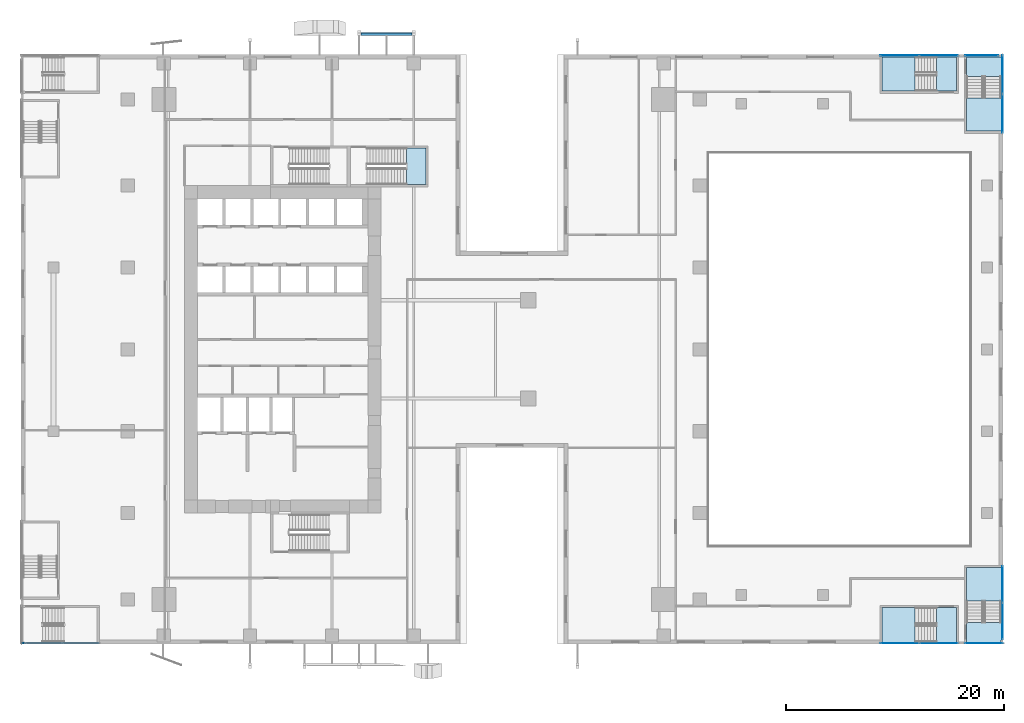
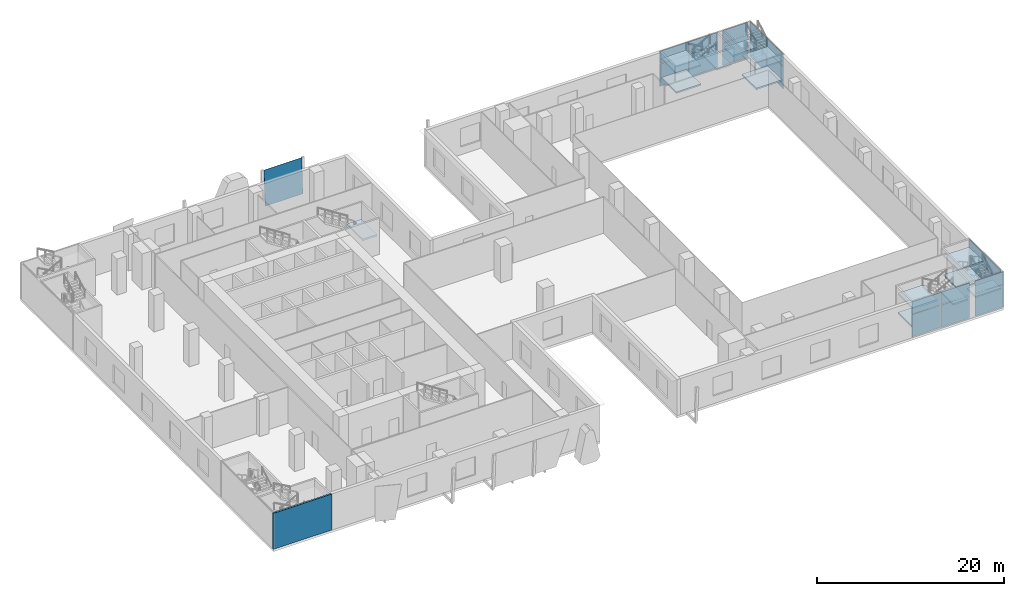
# One storey, part 9 of 22: 21 plates, 13 slabs, 1 wall, 11 elements without a shape of their own.
"""IFC4 building model written with IfcOpenShell, lengths in metres."""

from ifc_helpers import new_model, si_unit, direction, frame, frame_2d, origin, origin_2d, place, context, subcontext, project, spatial, polyline, rectangle, outline, extrude, source, transform, mapped, material, layer, layer_set, type_object, element, aggregate, save


model = new_model("IFC4")

# Units and contexts
model_context = context("Model", 3, precision=1e-05, world=origin(), true_north=direction((0.0, 1.0)))
body_context = subcontext(model_context, "Body", "Model", "MODEL_VIEW")
ifc_project = project(units=[si_unit("LENGTHUNIT", "METRE"), si_unit("AREAUNIT", "SQUARE_METRE"), si_unit("VOLUMEUNIT", "CUBIC_METRE"), si_unit("PLANEANGLEUNIT", "RADIAN"), si_unit("MASSUNIT", "GRAM", prefix="KILO")], contexts=[model_context])

# Site, building, storey
site_placement = place(None, origin())
site = spatial("IfcSite", under=ifc_project, at=site_placement, CompositionType="ELEMENT")
building_placement = place(site_placement, origin())
building = spatial("IfcBuilding", under=site, at=building_placement, Name="Khomas Fold Tower", CompositionType="ELEMENT")
storey_placement = place(building_placement, frame((0.0, 0.0, 23.5)))
storey = spatial("IfcBuildingStorey", under=building, at=storey_placement, Name="L04", CompositionType="ELEMENT", Elevation=23.5)

# Plate
ifc_material_1 = material(Name="Clear laminated glass", Category="glass")
ifc_layer_1 = layer(ifc_material_1, 0.0400390625)
ifc_layer_set_1 = layer_set([ifc_layer_1], Name="Clear laminated glass")
plate_type_1 = type_object("IfcPlateType", Name="SK-Clear laminated glass leaf", PredefinedType="SHEET", material=ifc_layer_set_1)
plate_1_placement = place(storey_placement, frame((26.830078125, 55.97705078125, 4.550048828125), z_axis=(0.0, -0.998628761104, 0.052350716295), x_axis=(0.0, -0.052350716295, -0.998628761104)))
element("IfcPlate", 1, at=plate_1_placement, inside=storey, type_object=plate_type_1, Name="OUTER SKIN glass L04 NG102-4", PredefinedType="SHEET", context=body_context, shape_type="SweptSolid", body=[
    extrude(outline(polyline([(0.0, 0.0), (4.556296599245323, 0.0), (4.556296599245323, -4.66015625), (0.0, -4.66015625), (0.0, 0.0)])), origin(), (0.0, 0.0, -1.0), 0.0400390625),
])

# Curtain wall, plate
ifc_material_2 = material(Name="Aluminium framed double glazing", Category="aluminium")
curtain_wall_type = type_object("IfcCurtainWallType", Name="Shopfront glazing PD-CW", PredefinedType="NOTDEFINED", material=ifc_material_2)
curtain_wall_1_placement = place(storey_placement, origin())
curtain_wall_1 = element("IfcCurtainWall", 2, at=curtain_wall_1_placement, inside=storey, type_object=curtain_wall_type, Name="Podium stair-tower glazing", PredefinedType="NOTDEFINED")
ifc_material_3 = material(Name="Double glazed unit")
ifc_layer_2 = layer(ifc_material_3, 0.031982421875)
ifc_layer_set_2 = layer_set([ifc_layer_2], Name="Double glazed unit")
plate_type_2 = type_object("IfcPlateType", Name="Shopfront glazing panel PD-CW-P", PredefinedType="CURTAIN_PANEL", material=ifc_layer_set_2)
shared_shape_1 = source(origin(), body_context, "Body", "SweptSolid", [
    extrude(rectangle(XDim=3.0400390625, YDim=0.031982421875, at=origin_2d()), origin(), (0.0, 0.0, 1.0), 2.909912109375),
])
plate_2_placement = place(storey_placement, frame((79.02001953125, 53.919921875, 0.06005859375), z_axis=(0.0, 0.0, 1.0), x_axis=(-1.0, 0.0, 0.0)))
plate_2 = element("IfcPlate", 3, at=plate_2_placement, type_object=plate_type_2, Name="PD-CW panel 1.1", PredefinedType="CURTAIN_PANEL", context=body_context, shape_type="MappedRepresentation", body=[
    mapped(shared_shape_1, transform((0.0, 0.0, 0.0))),
])

# Curtain wall, plates
curtain_wall_2_placement = place(storey_placement, origin())
curtain_wall_2 = element("IfcCurtainWall", 4, at=curtain_wall_2_placement, inside=storey, type_object=curtain_wall_type, Name="Podium stair-tower glazing", PredefinedType="NOTDEFINED")
shared_shape_2 = source(origin(), body_context, "Body", "SweptSolid", [
    extrude(rectangle(XDim=3.52001953125, YDim=0.031982421875, at=origin_2d()), origin(), (0.0, 0.0, 1.0), 2.909912109375),
])
plate_3_placement = place(storey_placement, frame((71.510009765625, 0.080078125, 0.06005859375), z_axis=(0.0, 0.0, 1.0), x_axis=(1.0, 0.0, 0.0)))
plate_3 = element("IfcPlate", 5, at=plate_3_placement, type_object=plate_type_2, Name="PD-CW panel 1.1", PredefinedType="CURTAIN_PANEL", context=body_context, shape_type="MappedRepresentation", body=[
    mapped(shared_shape_2, transform((0.0, 0.0, 0.0))),
])
plate_4_placement = place(storey_placement, frame((75.090087890625, 0.080078125, 0.06005859375), z_axis=(0.0, 0.0, 1.0), x_axis=(1.0, 0.0, 0.0)))
plate_4 = element("IfcPlate", 6, at=plate_4_placement, type_object=plate_type_2, Name="PD-CW panel 2.1", PredefinedType="CURTAIN_PANEL", context=body_context, shape_type="MappedRepresentation", body=[
    mapped(shared_shape_2, transform((0.0, 0.0, 0.0))),
])

curtain_wall_3_placement = place(storey_placement, origin())
curtain_wall_3 = element("IfcCurtainWall", 7, at=curtain_wall_3_placement, inside=storey, type_object=curtain_wall_type, Name="Podium stair-tower glazing", PredefinedType="NOTDEFINED")
plate_5_placement = place(storey_placement, frame((75.090087890625, 53.919921875, 0.06005859375), z_axis=(0.0, 0.0, 1.0), x_axis=(-1.0, 0.0, 0.0)))
plate_5 = element("IfcPlate", 8, at=plate_5_placement, type_object=plate_type_2, Name="PD-CW panel 1.1", PredefinedType="CURTAIN_PANEL", context=body_context, shape_type="MappedRepresentation", body=[
    mapped(shared_shape_2, transform((0.0, 0.0, 0.0))),
])
plate_6_placement = place(storey_placement, frame((71.510009765625, 53.919921875, 0.06005859375), z_axis=(0.0, 0.0, 1.0), x_axis=(-1.0, 0.0, 0.0)))
plate_6 = element("IfcPlate", 9, at=plate_6_placement, type_object=plate_type_2, Name="PD-CW panel 2.1", PredefinedType="CURTAIN_PANEL", context=body_context, shape_type="MappedRepresentation", body=[
    mapped(shared_shape_2, transform((0.0, 0.0, 0.0))),
])

# Curtain wall, plate
curtain_wall_4_placement = place(storey_placement, origin())
curtain_wall_4 = element("IfcCurtainWall", 10, at=curtain_wall_4_placement, inside=storey, type_object=curtain_wall_type, Name="Podium stair-tower glazing", PredefinedType="NOTDEFINED")
shared_shape_3 = source(origin(), body_context, "Body", "SweptSolid", [
    extrude(rectangle(XDim=3.43994140625, YDim=0.031982421875, at=origin_2d()), origin(), (0.0, 0.0, 1.0), 2.909912109375),
])
plate_7_placement = place(storey_placement, frame((79.219970703125, 0.080078125, 0.06005859375), z_axis=(0.0, 0.0, 1.0), x_axis=(1.0, 0.0, 0.0)))
plate_7 = element("IfcPlate", 11, at=plate_7_placement, type_object=plate_type_2, Name="PD-CW panel 1.1", PredefinedType="CURTAIN_PANEL", context=body_context, shape_type="MappedRepresentation", body=[
    mapped(shared_shape_3, transform((0.0, 0.0, 0.0))),
])

# Curtain wall, plates
curtain_wall_5_placement = place(storey_placement, origin())
curtain_wall_5 = element("IfcCurtainWall", 12, at=curtain_wall_5_placement, inside=storey, type_object=curtain_wall_type, Name="Podium stair-tower glazing", PredefinedType="NOTDEFINED")
shared_shape_4 = source(origin(), body_context, "Body", "SweptSolid", [
    extrude(rectangle(XDim=3.31494140625, YDim=0.031982421875, at=origin_2d()), origin(), (0.0, 0.0, 1.0), 2.909912109375),
])
plate_8_placement = place(storey_placement, frame((80.919921875, 2.117431640625, 0.06005859375), z_axis=(0.0, 0.0, 1.0), x_axis=(0.0, 1.0, 0.0)))
plate_8 = element("IfcPlate", 13, at=plate_8_placement, type_object=plate_type_2, Name="PD-CW panel 1.1", PredefinedType="CURTAIN_PANEL", context=body_context, shape_type="MappedRepresentation", body=[
    mapped(shared_shape_4, transform((0.0, 0.0, 0.0))),
])
plate_9_placement = place(storey_placement, frame((80.919921875, 5.492431640625, 0.06005859375), z_axis=(0.0, 0.0, 1.0), x_axis=(0.0, 1.0, 0.0)))
plate_9 = element("IfcPlate", 14, at=plate_9_placement, type_object=plate_type_2, Name="PD-CW panel 2.1", PredefinedType="CURTAIN_PANEL", context=body_context, shape_type="MappedRepresentation", body=[
    mapped(shared_shape_4, transform((0.0, 0.0, 0.0))),
])

curtain_wall_6_placement = place(storey_placement, origin())
curtain_wall_6 = element("IfcCurtainWall", 15, at=curtain_wall_6_placement, inside=storey, type_object=curtain_wall_type, Name="Podium stair-tower glazing", PredefinedType="NOTDEFINED")
shared_shape_5 = source(origin(), body_context, "Body", "SweptSolid", [
    extrude(rectangle(XDim=3.514892578125, YDim=0.031982421875, at=origin_2d()), origin(), (0.0, 0.0, 1.0), 2.909912109375),
])
plate_10_placement = place(storey_placement, frame((80.919921875, 48.607421875, 0.06005859375), z_axis=(0.0, 0.0, 1.0), x_axis=(0.0, 1.0, 0.0)))
plate_10 = element("IfcPlate", 16, at=plate_10_placement, type_object=plate_type_2, Name="PD-CW panel 1.1", PredefinedType="CURTAIN_PANEL", context=body_context, shape_type="MappedRepresentation", body=[
    mapped(shared_shape_5, transform((0.0, 0.0, 0.0))),
])
plate_11_placement = place(storey_placement, frame((80.919921875, 52.1826171875, 0.06005859375), z_axis=(0.0, 0.0, 1.0), x_axis=(0.0, 1.0, 0.0)))
plate_11 = element("IfcPlate", 17, at=plate_11_placement, type_object=plate_type_2, Name="PD-CW panel 2.1", PredefinedType="CURTAIN_PANEL", context=body_context, shape_type="MappedRepresentation", body=[
    mapped(shared_shape_5, transform((0.0, 0.0, 0.0))),
])

# Plate
shared_shape_6 = source(origin(), body_context, "Body", "SweptSolid", [
    extrude(rectangle(XDim=3.0400390625, YDim=0.031982421875, at=origin_2d()), origin(), (0.0, 0.0, 1.0), 1.610107421875),
])
plate_12_placement = place(storey_placement, frame((79.02001953125, 53.919921875, 3.02978515625), z_axis=(0.0, 0.0, 1.0), x_axis=(-1.0, 0.0, 0.0)))
plate_12 = element("IfcPlate", 18, at=plate_12_placement, type_object=plate_type_2, Name="PD-CW panel 1.2", PredefinedType="CURTAIN_PANEL", context=body_context, shape_type="MappedRepresentation", body=[
    mapped(shared_shape_6, transform((0.0, 0.0, 0.0))),
])

aggregate(curtain_wall_1, [plate_2, plate_12])

shared_shape_7 = source(origin(), body_context, "Body", "SweptSolid", [
    extrude(rectangle(XDim=3.52001953125, YDim=0.031982421875, at=origin_2d()), origin(), (0.0, 0.0, 1.0), 1.610107421875),
])
plate_13_placement = place(storey_placement, frame((71.510009765625, 0.080078125, 3.02978515625), z_axis=(0.0, 0.0, 1.0), x_axis=(1.0, 0.0, 0.0)))
plate_13 = element("IfcPlate", 19, at=plate_13_placement, type_object=plate_type_2, Name="PD-CW panel 1.2", PredefinedType="CURTAIN_PANEL", context=body_context, shape_type="MappedRepresentation", body=[
    mapped(shared_shape_7, transform((0.0, 0.0, 0.0))),
])

plate_14_placement = place(storey_placement, frame((75.090087890625, 0.080078125, 3.02978515625), z_axis=(0.0, 0.0, 1.0), x_axis=(1.0, 0.0, 0.0)))
plate_14 = element("IfcPlate", 20, at=plate_14_placement, type_object=plate_type_2, Name="PD-CW panel 2.2", PredefinedType="CURTAIN_PANEL", context=body_context, shape_type="MappedRepresentation", body=[
    mapped(shared_shape_7, transform((0.0, 0.0, 0.0))),
])

aggregate(curtain_wall_2, [plate_3, plate_13, plate_4, plate_14])

plate_15_placement = place(storey_placement, frame((75.090087890625, 53.919921875, 3.02978515625), z_axis=(0.0, 0.0, 1.0), x_axis=(-1.0, 0.0, 0.0)))
plate_15 = element("IfcPlate", 21, at=plate_15_placement, type_object=plate_type_2, Name="PD-CW panel 1.2", PredefinedType="CURTAIN_PANEL", context=body_context, shape_type="MappedRepresentation", body=[
    mapped(shared_shape_7, transform((0.0, 0.0, 0.0))),
])

plate_16_placement = place(storey_placement, frame((71.510009765625, 53.919921875, 3.02978515625), z_axis=(0.0, 0.0, 1.0), x_axis=(-1.0, 0.0, 0.0)))
plate_16 = element("IfcPlate", 22, at=plate_16_placement, type_object=plate_type_2, Name="PD-CW panel 2.2", PredefinedType="CURTAIN_PANEL", context=body_context, shape_type="MappedRepresentation", body=[
    mapped(shared_shape_7, transform((0.0, 0.0, 0.0))),
])

aggregate(curtain_wall_3, [plate_5, plate_15, plate_6, plate_16])

shared_shape_8 = source(origin(), body_context, "Body", "SweptSolid", [
    extrude(rectangle(XDim=3.43994140625, YDim=0.031982421875, at=origin_2d()), origin(), (0.0, 0.0, 1.0), 1.610107421875),
])
plate_17_placement = place(storey_placement, frame((79.219970703125, 0.080078125, 3.02978515625), z_axis=(0.0, 0.0, 1.0), x_axis=(1.0, 0.0, 0.0)))
plate_17 = element("IfcPlate", 23, at=plate_17_placement, type_object=plate_type_2, Name="PD-CW panel 1.2", PredefinedType="CURTAIN_PANEL", context=body_context, shape_type="MappedRepresentation", body=[
    mapped(shared_shape_8, transform((0.0, 0.0, 0.0))),
])

aggregate(curtain_wall_4, [plate_7, plate_17])

shared_shape_9 = source(origin(), body_context, "Body", "SweptSolid", [
    extrude(rectangle(XDim=3.31494140625, YDim=0.031982421875, at=origin_2d()), origin(), (0.0, 0.0, 1.0), 1.610107421875),
])
plate_18_placement = place(storey_placement, frame((80.919921875, 2.117431640625, 3.02978515625), z_axis=(0.0, 0.0, 1.0), x_axis=(0.0, 1.0, 0.0)))
plate_18 = element("IfcPlate", 24, at=plate_18_placement, type_object=plate_type_2, Name="PD-CW panel 1.2", PredefinedType="CURTAIN_PANEL", context=body_context, shape_type="MappedRepresentation", body=[
    mapped(shared_shape_9, transform((0.0, 0.0, 0.0))),
])

plate_19_placement = place(storey_placement, frame((80.919921875, 5.492431640625, 3.02978515625), z_axis=(0.0, 0.0, 1.0), x_axis=(0.0, 1.0, 0.0)))
plate_19 = element("IfcPlate", 25, at=plate_19_placement, type_object=plate_type_2, Name="PD-CW panel 2.2", PredefinedType="CURTAIN_PANEL", context=body_context, shape_type="MappedRepresentation", body=[
    mapped(shared_shape_9, transform((0.0, 0.0, 0.0))),
])

aggregate(curtain_wall_5, [plate_8, plate_18, plate_9, plate_19])

shared_shape_10 = source(origin(), body_context, "Body", "SweptSolid", [
    extrude(rectangle(XDim=3.514892578125, YDim=0.031982421875, at=origin_2d()), origin(), (0.0, 0.0, 1.0), 1.610107421875),
])
plate_20_placement = place(storey_placement, frame((80.919921875, 48.607421875, 3.02978515625), z_axis=(0.0, 0.0, 1.0), x_axis=(0.0, 1.0, 0.0)))
plate_20 = element("IfcPlate", 26, at=plate_20_placement, type_object=plate_type_2, Name="PD-CW panel 1.2", PredefinedType="CURTAIN_PANEL", context=body_context, shape_type="MappedRepresentation", body=[
    mapped(shared_shape_10, transform((0.0, 0.0, 0.0))),
])

plate_21_placement = place(storey_placement, frame((80.919921875, 52.1826171875, 3.02978515625), z_axis=(0.0, 0.0, 1.0), x_axis=(0.0, 1.0, 0.0)))
plate_21 = element("IfcPlate", 27, at=plate_21_placement, type_object=plate_type_2, Name="PD-CW panel 2.2", PredefinedType="CURTAIN_PANEL", context=body_context, shape_type="MappedRepresentation", body=[
    mapped(shared_shape_10, transform((0.0, 0.0, 0.0))),
])

aggregate(curtain_wall_6, [plate_10, plate_20, plate_11, plate_21])

# Stair, slab
ifc_material_4 = material(Name="Concrete C40/50", Category="concrete")
stair_type_1 = type_object("IfcStairType", Name="Stair ST3", PredefinedType="HALF_TURN_STAIR", material=ifc_material_4)
stair_1_placement = place(storey_placement, origin())
stair_1 = element("IfcStair", 28, at=stair_1_placement, inside=storey, type_object=stair_type_1, Name="L04 ST3", PredefinedType="HALF_TURN_STAIR")
ifc_material_5 = material(Name="Concrete C40/50", Category="concrete")
ifc_layer_3 = layer(ifc_material_5, 0.199951171875)
ifc_layer_set_3 = layer_set([ifc_layer_3], Name="Concrete C40/50")
slab_type = type_object("IfcSlabType", Name="Stair landing 200", PredefinedType="LANDING", material=ifc_layer_set_3)
shared_shape_11 = source(origin(), body_context, "Body", "SweptSolid", [
    extrude(outline(polyline([(26.340087890625, 42.10009765625), (28.10009765625, 42.10009765625), (28.10009765625, 45.449951171875), (26.340087890625, 45.449951171875), (26.340087890625, 42.10009765625)])), origin(), (0.0, 0.0, 1.0), 0.199951171875),
])
slab_1_placement = place(storey_placement, frame((0.0, 0.0, 2.300048828125)))
slab_1 = element("IfcSlab", 29, at=slab_1_placement, type_object=slab_type, Name="ST3 landing 1", PredefinedType="LANDING", context=body_context, shape_type="MappedRepresentation", body=[
    mapped(shared_shape_11, transform((0.0, 0.0, 0.0))),
])
aggregate(stair_1, [slab_1])

# Stair, slabs
ifc_material_6 = material(Name="Concrete C40/50", Category="concrete")
stair_type_2 = type_object("IfcStairType", Name="Stair PS3", PredefinedType="HALF_TURN_STAIR", material=ifc_material_6)
stair_2_placement = place(storey_placement, origin())
stair_2 = element("IfcStair", 30, at=stair_2_placement, inside=storey, type_object=stair_type_2, Name="L04 PS3", PredefinedType="HALF_TURN_STAIR")
shared_shape_12 = source(origin(), body_context, "Body", "SweptSolid", [
    extrude(outline(polyline([(76.699951171875, 3.35009765625), (74.89990234375, 3.35009765625), (74.89990234375, 0.199951171875), (76.699951171875, 0.199951171875), (76.699951171875, 3.35009765625)])), origin(), (0.0, 0.0, 1.0), 0.199951171875),
])
slab_2_placement = place(storey_placement, frame((0.0, 0.0, 2.300048828125)))
slab_2 = element("IfcSlab", 31, at=slab_2_placement, type_object=slab_type, Name="PS3 landing 2", PredefinedType="LANDING", context=body_context, shape_type="MappedRepresentation", body=[
    mapped(shared_shape_12, transform((0.0, 0.0, 0.0))),
])
shared_shape_13 = source(origin(), body_context, "Body", "SweptSolid", [
    extrude(outline(polyline([(72.93994140625, 3.35009765625), (69.89990234375, 3.35009765625), (69.89990234375, 0.199951171875), (72.93994140625, 0.199951171875), (72.93994140625, 3.35009765625)])), origin(), (0.0, 0.0, 1.0), 0.199951171875),
])
slab_3_placement = place(storey_placement, frame((0.0, 0.0, 1.050048828125)))
slab_3 = element("IfcSlab", 32, at=slab_3_placement, type_object=slab_type, Name="PS3 landing 1", PredefinedType="LANDING", context=body_context, shape_type="MappedRepresentation", body=[
    mapped(shared_shape_13, transform((0.0, 0.0, 0.0))),
])
slab_4_placement = place(storey_placement, frame((0.0, 0.0, 3.550048828125)))
slab_4 = element("IfcSlab", 33, at=slab_4_placement, type_object=slab_type, Name="PS3 landing 3", PredefinedType="LANDING", context=body_context, shape_type="MappedRepresentation", body=[
    mapped(shared_shape_13, transform((0.0, 0.0, 0.0))),
])
aggregate(stair_2, [slab_3, slab_2, slab_4])

ifc_material_7 = material(Name="Concrete C40/50", Category="concrete")
stair_type_3 = type_object("IfcStairType", Name="Stair PS4", PredefinedType="HALF_TURN_STAIR", material=ifc_material_7)
stair_3_placement = place(storey_placement, origin())
stair_3 = element("IfcStair", 34, at=stair_3_placement, inside=storey, type_object=stair_type_3, Name="L04 PS4", PredefinedType="HALF_TURN_STAIR")
shared_shape_14 = source(origin(), body_context, "Body", "SweptSolid", [
    extrude(outline(polyline([(80.800048828125, 0.199951171875), (80.800048828125, 2.0), (77.64990234375, 2.0), (77.64990234375, 0.199951171875), (80.800048828125, 0.199951171875)])), origin(), (0.0, 0.0, 1.0), 0.199951171875),
])
slab_5_placement = place(storey_placement, frame((0.0, 0.0, 2.300048828125)))
slab_5 = element("IfcSlab", 35, at=slab_5_placement, type_object=slab_type, Name="PS4 landing 2", PredefinedType="LANDING", context=body_context, shape_type="MappedRepresentation", body=[
    mapped(shared_shape_14, transform((0.0, 0.0, 0.0))),
])
shared_shape_15 = source(origin(), body_context, "Body", "SweptSolid", [
    extrude(outline(polyline([(80.800048828125, 3.9599609375), (80.800048828125, 7.0), (77.64990234375, 7.0), (77.64990234375, 3.9599609375), (80.800048828125, 3.9599609375)])), origin(), (0.0, 0.0, 1.0), 0.199951171875),
])
slab_6_placement = place(storey_placement, frame((0.0, 0.0, 1.050048828125)))
slab_6 = element("IfcSlab", 36, at=slab_6_placement, type_object=slab_type, Name="PS4 landing 1", PredefinedType="LANDING", context=body_context, shape_type="MappedRepresentation", body=[
    mapped(shared_shape_15, transform((0.0, 0.0, 0.0))),
])
slab_7_placement = place(storey_placement, frame((0.0, 0.0, 3.550048828125)))
slab_7 = element("IfcSlab", 37, at=slab_7_placement, type_object=slab_type, Name="PS4 landing 3", PredefinedType="LANDING", context=body_context, shape_type="MappedRepresentation", body=[
    mapped(shared_shape_15, transform((0.0, 0.0, 0.0))),
])
aggregate(stair_3, [slab_6, slab_5, slab_7])

ifc_material_8 = material(Name="Concrete C40/50", Category="concrete")
stair_type_4 = type_object("IfcStairType", Name="Stair PS5", PredefinedType="HALF_TURN_STAIR", material=ifc_material_8)
stair_4_placement = place(storey_placement, origin())
stair_4 = element("IfcStair", 38, at=stair_4_placement, inside=storey, type_object=stair_type_4, Name="L04 PS5", PredefinedType="HALF_TURN_STAIR")
shared_shape_16 = source(origin(), body_context, "Body", "SweptSolid", [
    extrude(outline(polyline([(76.699951171875, 53.800048828125), (74.89990234375, 53.800048828125), (74.89990234375, 50.64990234375), (76.699951171875, 50.64990234375), (76.699951171875, 53.800048828125)])), origin(), (0.0, 0.0, 1.0), 0.199951171875),
])
slab_8_placement = place(storey_placement, frame((0.0, 0.0, 2.300048828125)))
slab_8 = element("IfcSlab", 39, at=slab_8_placement, type_object=slab_type, Name="PS5 landing 2", PredefinedType="LANDING", context=body_context, shape_type="MappedRepresentation", body=[
    mapped(shared_shape_16, transform((0.0, 0.0, 0.0))),
])
shared_shape_17 = source(origin(), body_context, "Body", "SweptSolid", [
    extrude(outline(polyline([(72.93994140625, 53.800048828125), (69.89990234375, 53.800048828125), (69.89990234375, 50.64990234375), (72.93994140625, 50.64990234375), (72.93994140625, 53.800048828125)])), origin(), (0.0, 0.0, 1.0), 0.199951171875),
])
slab_9_placement = place(storey_placement, frame((0.0, 0.0, 1.050048828125)))
slab_9 = element("IfcSlab", 40, at=slab_9_placement, type_object=slab_type, Name="PS5 landing 1", PredefinedType="LANDING", context=body_context, shape_type="MappedRepresentation", body=[
    mapped(shared_shape_17, transform((0.0, 0.0, 0.0))),
])
slab_10_placement = place(storey_placement, frame((0.0, 0.0, 3.550048828125)))
slab_10 = element("IfcSlab", 41, at=slab_10_placement, type_object=slab_type, Name="PS5 landing 3", PredefinedType="LANDING", context=body_context, shape_type="MappedRepresentation", body=[
    mapped(shared_shape_17, transform((0.0, 0.0, 0.0))),
])
aggregate(stair_4, [slab_9, slab_8, slab_10])

ifc_material_9 = material(Name="Concrete C40/50", Category="concrete")
stair_type_5 = type_object("IfcStairType", Name="Stair PS6", PredefinedType="HALF_TURN_STAIR", material=ifc_material_9)
stair_5_placement = place(storey_placement, origin())
stair_5 = element("IfcStair", 42, at=stair_5_placement, inside=storey, type_object=stair_type_5, Name="L04 PS6", PredefinedType="HALF_TURN_STAIR")
shared_shape_18 = source(origin(), body_context, "Body", "SweptSolid", [
    extrude(outline(polyline([(77.64990234375, 53.800048828125), (77.64990234375, 52.0), (80.800048828125, 52.0), (80.800048828125, 53.800048828125), (77.64990234375, 53.800048828125)])), origin(), (0.0, 0.0, 1.0), 0.199951171875),
])
slab_11_placement = place(storey_placement, frame((0.0, 0.0, 2.300048828125)))
slab_11 = element("IfcSlab", 43, at=slab_11_placement, type_object=slab_type, Name="PS6 landing 2", PredefinedType="LANDING", context=body_context, shape_type="MappedRepresentation", body=[
    mapped(shared_shape_18, transform((0.0, 0.0, 0.0))),
])
shared_shape_19 = source(origin(), body_context, "Body", "SweptSolid", [
    extrude(outline(polyline([(77.64990234375, 50.0400390625), (77.64990234375, 47.0), (80.800048828125, 47.0), (80.800048828125, 50.0400390625), (77.64990234375, 50.0400390625)])), origin(), (0.0, 0.0, 1.0), 0.199951171875),
])
slab_12_placement = place(storey_placement, frame((0.0, 0.0, 1.050048828125)))
slab_12 = element("IfcSlab", 44, at=slab_12_placement, type_object=slab_type, Name="PS6 landing 1", PredefinedType="LANDING", context=body_context, shape_type="MappedRepresentation", body=[
    mapped(shared_shape_19, transform((0.0, 0.0, 0.0))),
])
slab_13_placement = place(storey_placement, frame((0.0, 0.0, 3.550048828125)))
slab_13 = element("IfcSlab", 45, at=slab_13_placement, type_object=slab_type, Name="PS6 landing 3", PredefinedType="LANDING", context=body_context, shape_type="MappedRepresentation", body=[
    mapped(shared_shape_19, transform((0.0, 0.0, 0.0))),
])
aggregate(stair_5, [slab_12, slab_11, slab_13])

# Wall
ifc_material_10 = material(Name="Concrete C30/37", Category="concrete")
ifc_layer_4 = layer(ifc_material_10, 0.199951171875)
ifc_layer_set_4 = layer_set([ifc_layer_4], Name="Concrete C30/37")
wall_type = type_object("IfcWallType", Name="Stair wall PW5 200", PredefinedType="PARTITIONING", material=ifc_layer_set_4)
shared_shape_20 = source(origin(), body_context, "Body", "SweptSolid", [
    extrude(rectangle(XDim=7.199951171875, YDim=0.199951171875, at=frame_2d((3.60009765625, 0.0))), origin(), (0.0, 0.0, 1.0), 4.699951171875),
])
wall_placement = place(storey_placement, frame((-9.0, 0.10009765625, 0.0), z_axis=(0.0, 0.0, 1.0), x_axis=(1.0, 0.0, 0.0)))
element("IfcWall", 46, at=wall_placement, inside=storey, type_object=wall_type, Name="Stair wall", PredefinedType="PARTITIONING", context=body_context, shape_type="MappedRepresentation", body=[
    mapped(shared_shape_20, transform((0.0, 0.0, 0.0))),
])

save(model, "model.ifc")
